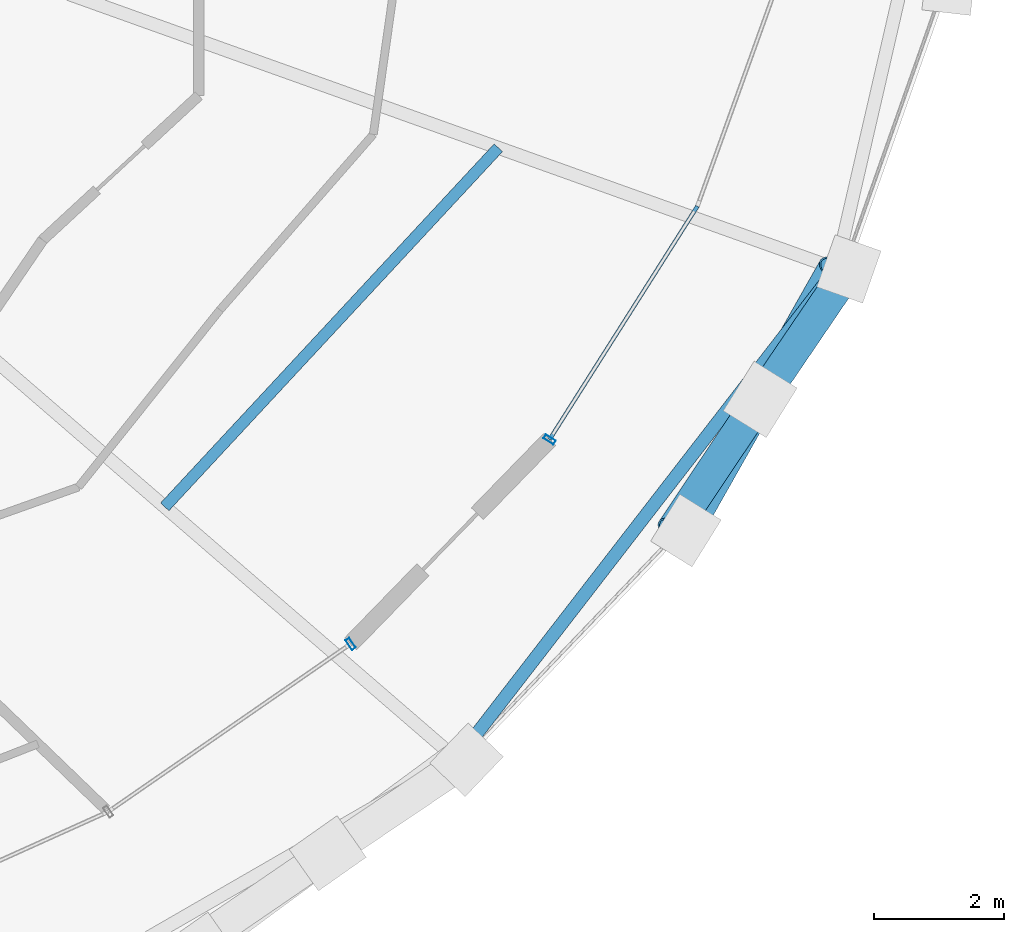
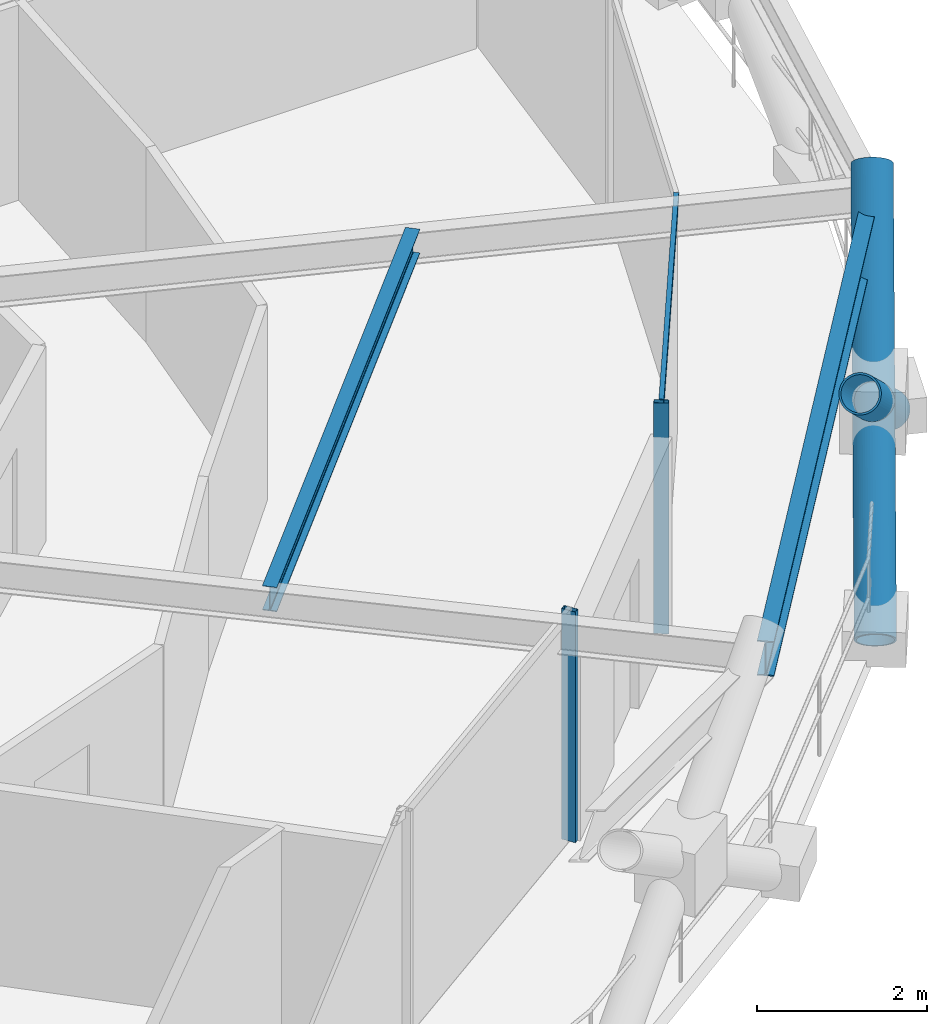
# One storey, part 6 of 16: 6 members, 2 beams, 2 elements without a shape of their own.
"""IFC4 building model written with IfcOpenShell, lengths in metres."""

from ifc_helpers import new_model, si_unit, direction, frame, origin, origin_2d, place, context, subcontext, project, spatial, hollow_rectangle, hollow_circle, i_section, extrude, material, layer, layer_set, material_profile, profile_set, type_object, element, aggregate, save


model = new_model("IFC4")

# Units and contexts
model_context = context("Model", 3, precision=1e-05, world=origin(), true_north=direction((0.0, 1.0)))
body_context = subcontext(model_context, "Body", "Model", "MODEL_VIEW")
ifc_project = project(units=[si_unit("LENGTHUNIT", "METRE"), si_unit("AREAUNIT", "SQUARE_METRE"), si_unit("VOLUMEUNIT", "CUBIC_METRE"), si_unit("PLANEANGLEUNIT", "RADIAN"), si_unit("MASSUNIT", "GRAM", prefix="KILO")], contexts=[model_context])

# Site, building, storey
site_placement = place(None, origin())
site = spatial("IfcSite", under=ifc_project, at=site_placement, CompositionType="ELEMENT")
building_placement = place(site_placement, origin())
building = spatial("IfcBuilding", under=site, at=building_placement, Name="Veldorina Hangang Commons", CompositionType="ELEMENT")
storey_placement = place(building_placement, frame((0.0, 0.0, 189.199951171875)))
storey = spatial("IfcBuildingStorey", under=building, at=storey_placement, Name="L49", CompositionType="ELEMENT", Elevation=189.199951171875)

# Beams
ifc_material_1 = material(Name="Steel SM355-TMC", Category="steel")
ifc_material_profile_1 = material_profile(ifc_material_1, i_section(OverallWidth=0.175048828125, OverallDepth=0.35009765625, WebThickness=0.007080078125, FlangeThickness=0.010986328125, FilletRadius=0.012939453125, at=origin_2d()), Name="H-350x175x7x11")
ifc_profile_set_1 = profile_set([ifc_material_profile_1], Name="Steel SM355-TMC")
beam_type_1 = type_object("IfcBeamType", Name="BM-JST350", PredefinedType="JOIST", material=ifc_profile_set_1)
beam_1_placement = place(storey_placement, frame((46.526611328125, 11.446533203125, 3.175048828125), z_axis=(0.680617670115, 0.732638783527, 0.0), x_axis=(-0.732638783527, 0.680617670115, 0.0)))
element("IfcBeam", 1, at=beam_1_placement, inside=storey, type_object=beam_type_1, Name="L49 secondary floor joist 15", PredefinedType="JOIST", context=body_context, shape_type="SweptSolid", body=[
    extrude(i_section(OverallWidth=0.175048828125, OverallDepth=0.35009765625, WebThickness=0.007080078125, FlangeThickness=0.010986328125, FilletRadius=0.012939453125, at=origin_2d()), origin(), (0.0, 0.0, 1.0), 7.532470703125),
])
ifc_material_2 = material(Name="Steel SM420-TMC", Category="steel")
ifc_material_profile_2 = material_profile(ifc_material_2, i_section(OverallWidth=0.199951171875, OverallDepth=0.5, WebThickness=0.010009765625, FlangeThickness=0.01611328125, FilletRadius=0.01611328125, at=origin_2d()), Name="H-500x200x10x16")
ifc_profile_set_2 = profile_set([ifc_material_profile_2], Name="Steel SM420-TMC")
beam_type_2 = type_object("IfcBeamType", Name="BM-RB500", PredefinedType="BEAM", material=ifc_profile_set_2)
beam_2_placement = place(storey_placement, frame((51.016845703125, 7.566162109375, 3.10009765625), z_axis=(0.61168587168, 0.791100748569, 0.0), x_axis=(-0.791100748569, 0.61168587168, 0.0)))
element("IfcBeam", 2, at=beam_2_placement, inside=storey, type_object=beam_type_2, Name="L49 perimeter hoop ring beam 28", PredefinedType="BEAM", context=body_context, shape_type="SweptSolid", body=[
    extrude(i_section(OverallWidth=0.199951171875, OverallDepth=0.5, WebThickness=0.010009765625, FlangeThickness=0.01611328125, FilletRadius=0.01611328125, at=origin_2d()), origin(), (0.0, 0.0, 1.0), 9.53076171875),
])

# Curtain wall, member
ifc_material_3 = material(Name="Glass Low-E Triple IGU", Category="glass")
ifc_layer = layer(ifc_material_3, 0.179931640625)
ifc_layer_set = layer_set([ifc_layer], Name="Glass Low-E Triple IGU")
curtain_wall_type = type_object("IfcCurtainWallType", Name="CW-SYS-Z2", PredefinedType="NOTDEFINED", material=ifc_layer_set)
curtain_wall_1_placement = place(storey_placement, origin())
curtain_wall_1 = element("IfcCurtainWall", 3, at=curtain_wall_1_placement, inside=storey, type_object=curtain_wall_type, Name="L49 unitised curtain wall CW-L49-R1", PredefinedType="NOTDEFINED")
ifc_material_4 = material(Name="Aluminium Anodized AA6063-T6", Category="aluminium")
ifc_material_profile_3 = material_profile(ifc_material_4, hollow_rectangle(XDim=0.070068359375, YDim=0.179931640625, WallThickness=0.00390625, at=origin_2d()), Name="ALU-RHS-180x70x4")
ifc_profile_set_3 = profile_set([ifc_material_profile_3], Name="Aluminium Anodized AA6063-T6")
member_type_1 = type_object("IfcMemberType", Name="CW-MUL-180", PredefinedType="MULLION", material=ifc_profile_set_3)
member_1_placement = place(storey_placement, frame((49.383544921875, 9.340576171875, 0.0), z_axis=(0.0, 0.0, 1.0), x_axis=(-0.822283117715, -0.569078618752, 0.0)))
member_1 = element("IfcMember", 4, at=member_1_placement, type_object=member_type_1, Name="CW-L49-R1 vertical mullion 4", PredefinedType="MULLION", context=body_context, shape_type="SweptSolid", body=[
    extrude(hollow_rectangle(XDim=0.070068359375, YDim=0.179931640625, WallThickness=0.00390625, at=origin_2d()), origin(), (0.0, 0.0, 1.0), 3.31005859375),
])
aggregate(curtain_wall_1, [member_1])

# Curtain wall, members
curtain_wall_2_placement = place(storey_placement, origin())
curtain_wall_2 = element("IfcCurtainWall", 5, at=curtain_wall_2_placement, inside=storey, type_object=curtain_wall_type, Name="L49 unitised curtain wall CW-L49-R2", PredefinedType="NOTDEFINED")
member_2_placement = place(storey_placement, frame((52.44091796875, 12.482177734375, 0.0), z_axis=(0.0, 0.0, 1.0), x_axis=(0.535355149761, 0.844627055939, 0.0)))
member_2 = element("IfcMember", 6, at=member_2_placement, type_object=member_type_1, Name="CW-L49-R2 vertical mullion 1", PredefinedType="MULLION", context=body_context, shape_type="SweptSolid", body=[
    extrude(hollow_rectangle(XDim=0.070068359375, YDim=0.179931640625, WallThickness=0.00390625, at=origin_2d()), origin(), (0.0, 0.0, 1.0), 3.31005859375),
])
ifc_material_profile_4 = material_profile(ifc_material_4, hollow_rectangle(XDim=0.06005859375, YDim=0.139892578125, WallThickness=0.00341796875, at=origin_2d()), Name="ALU-RHS-140x60x3.5")
ifc_profile_set_4 = profile_set([ifc_material_profile_4], Name="Aluminium Anodized AA6063-T6")
member_type_2 = type_object("IfcMemberType", Name="CW-TRN-140", PredefinedType="USERDEFINED", material=ifc_profile_set_4)
member_3_placement = place(storey_placement, frame((52.44091796875, 12.482177734375, 3.27001953125), z_axis=(0.535340853541, 0.844636117231, 0.0), x_axis=(-0.844636117231, 0.535340853541, 0.0)))
member_3 = element("IfcMember", 7, at=member_3_placement, type_object=member_type_2, Name="CW-L49-R2 facet 1 transom 1", ObjectType="TRANSOM", PredefinedType="USERDEFINED", context=body_context, shape_type="SweptSolid", body=[
    extrude(hollow_rectangle(XDim=0.06005859375, YDim=0.139892578125, WallThickness=0.00341796875, at=origin_2d()), origin(), (0.0, 0.0, 1.0), 4.243408203125),
])
aggregate(curtain_wall_2, [member_2, member_3])

# Members
ifc_material_profile_5 = material_profile(ifc_material_2, hollow_circle(Radius=0.25, WallThickness=0.02490234375, at=origin_2d()), Name="CHS-500x25")
ifc_profile_set_5 = profile_set([ifc_material_profile_5], Name="Steel SM420-TMC")
member_type_3 = type_object("IfcMemberType", Name="DG-CHS500", PredefinedType="BRACE", material=ifc_profile_set_5)
member_4_placement = place(storey_placement, frame((54.5361328125, 11.082275390625, 0.0), z_axis=(0.388889402348, 0.686638057872, 0.614241980186), x_axis=(-0.87013386328, 0.492815442101, 0.0)))
element("IfcMember", 8, at=member_4_placement, inside=storey, type_object=member_type_3, Name="L49 continuous perimeter diagrid brace 29", PredefinedType="BRACE", context=body_context, shape_type="SweptSolid", body=[
    extrude(hollow_circle(Radius=0.25, WallThickness=0.02490234375, at=origin_2d()), origin(), (0.0, 0.0, 1.0), 5.861083984375),
])
member_5_placement = place(storey_placement, frame((57.041015625, 15.10205078125, 0.0), z_axis=(-0.451319648856, -0.663524733529, 0.596695485614), x_axis=(0.826855321704, -0.56241468417, 0.0)))
element("IfcMember", 9, at=member_5_placement, inside=storey, type_object=member_type_3, Name="L49 split perimeter diagrid lower brace 30", PredefinedType="BRACE", context=body_context, shape_type="SweptSolid", body=[
    extrude(hollow_circle(Radius=0.25, WallThickness=0.02490234375, at=origin_2d()), origin(), (0.0, 0.0, 1.0), 3.021240234375),
])
member_6_placement = place(storey_placement, frame((55.677490234375, 13.097412109375, 1.802734375), z_axis=(-0.446304088582, -0.666862284192, 0.596747312049), x_axis=(0.831054342837, -0.556191225436, 0.0)))
element("IfcMember", 10, at=member_6_placement, inside=storey, type_object=member_type_3, Name="L49 split perimeter diagrid upper brace 30", PredefinedType="BRACE", context=body_context, shape_type="SweptSolid", body=[
    extrude(hollow_circle(Radius=0.25, WallThickness=0.02490234375, at=origin_2d()), origin(), (0.0, 0.0, 1.0), 3.011962890625),
])

save(model, "model.ifc")
